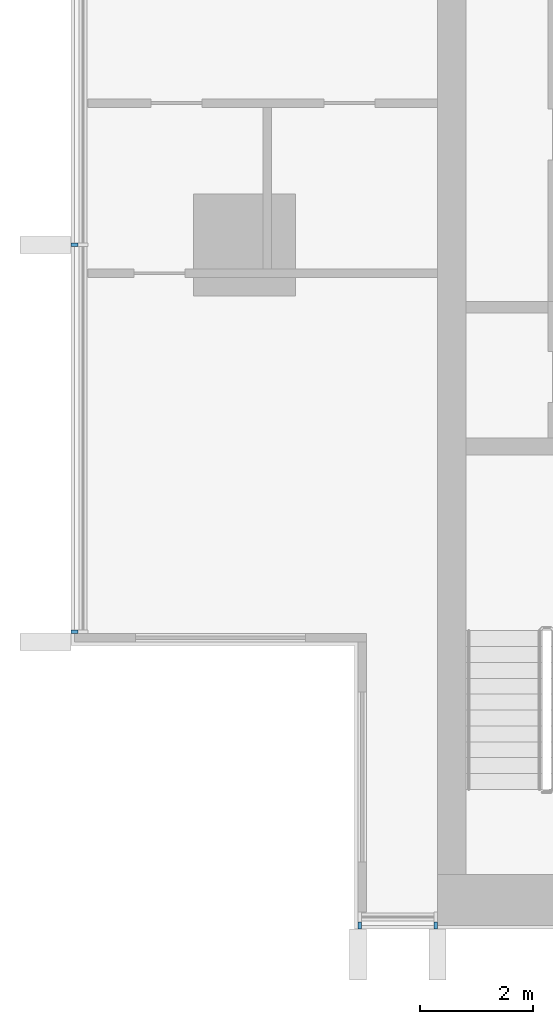
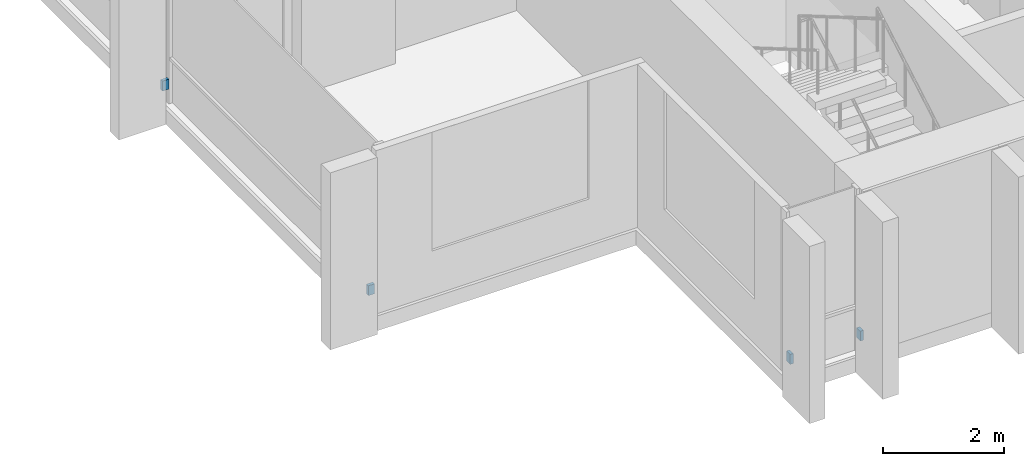
# One storey, part 11 of 15: 4 discrete accessories.
"""IFC4 building model written with IfcOpenShell, lengths in metres."""

from ifc_helpers import new_model, si_unit, direction, frame, origin, origin_2d, place, context, subcontext, project, spatial, rectangle, extrude, material, type_object, element, save


model = new_model("IFC4")

# Units and contexts
model_context = context("Model", 3, precision=1e-05, world=origin(), true_north=direction((0.0, 1.0)))
body_context = subcontext(model_context, "Body", "Model", "MODEL_VIEW")
ifc_project = project(units=[si_unit("LENGTHUNIT", "METRE"), si_unit("AREAUNIT", "SQUARE_METRE"), si_unit("VOLUMEUNIT", "CUBIC_METRE"), si_unit("PLANEANGLEUNIT", "RADIAN"), si_unit("MASSUNIT", "GRAM", prefix="KILO")], contexts=[model_context])

# Site, building, storey
site_placement = place(None, origin())
site = spatial("IfcSite", under=ifc_project, at=site_placement, CompositionType="ELEMENT")
building_placement = place(site_placement, origin())
building = spatial("IfcBuilding", under=site, at=building_placement, Name="Finial Court Residences", CompositionType="ELEMENT")
storey_placement = place(building_placement, frame((0.0, 0.0, 273.5)))
storey = spatial("IfcBuildingStorey", under=building, at=storey_placement, Name="L69", CompositionType="ELEMENT", Elevation=273.5)

# Discrete accessories
ifc_material = material(Name="Stainless steel 316", Category="steel")
discrete_accessory_type = type_object("IfcDiscreteAccessoryType", Name="Fin bracket, stainless steel 60 x 122 x 200", PredefinedType="BRACKET", material=ifc_material)
for number, where, z_axis, x_axis, name in (
    (1, (-14.469970703125, -25.498779296875, 0.2998046875), (0.0, 0.0, 1.0), (1.0, 0.0, 0.0), "E-L69-FIN-S13-BRK"),
    (2, (-13.1298828125, -25.498779296875, 0.2998046875), (0.0, 0.0, 1.0), (1.0, 0.0, 0.0), "E-L69-FIN-S14-BRK"),
):
    element("IfcDiscreteAccessory", number, at=place(storey_placement, frame(where, z_axis=z_axis, x_axis=x_axis)), inside=storey, type_object=discrete_accessory_type, Name=name, PredefinedType="BRACKET", context=body_context, shape_type="SweptSolid", body=[
        extrude(rectangle(XDim=0.06005859375, YDim=0.12255859375, at=origin_2d()), origin(), (0.0, 0.0, 1.0), 0.199951171875),
    ])
for number, where, z_axis, x_axis, name in (
    (3, (-19.498779296875, -20.320068359375, 0.2998046875), (0.0, 0.0, 1.0), (1.0, 0.0, 0.0), "E-L69-FIN-W21-BRK"),
    (4, (-19.498779296875, -13.5, 0.2998046875), (0.0, 0.0, 1.0), (1.0, 0.0, 0.0), "E-L69-FIN-W22-BRK"),
):
    element("IfcDiscreteAccessory", number, at=place(storey_placement, frame(where, z_axis=z_axis, x_axis=x_axis)), inside=storey, type_object=discrete_accessory_type, Name=name, PredefinedType="BRACKET", context=body_context, shape_type="SweptSolid", body=[
        extrude(rectangle(XDim=0.12255859375, YDim=0.06005859375, at=origin_2d()), origin(), (0.0, 0.0, 1.0), 0.199951171875),
    ])

save(model, "model.ifc")
